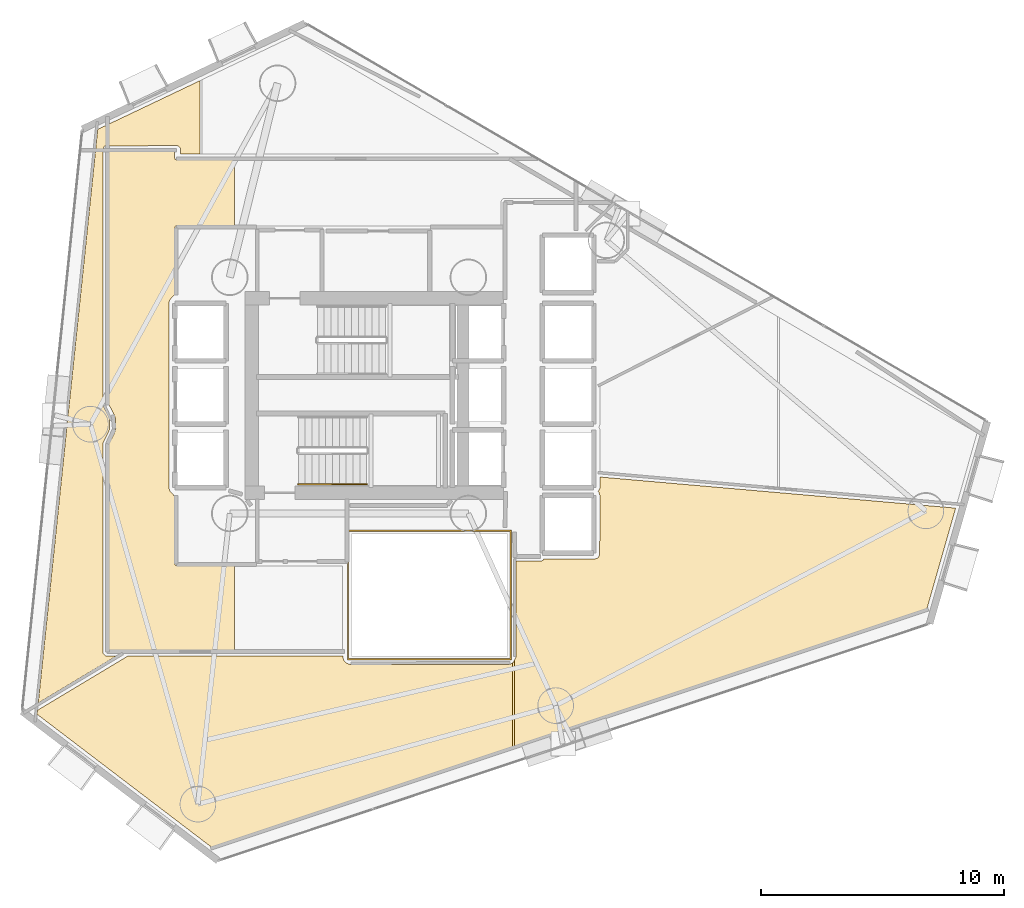
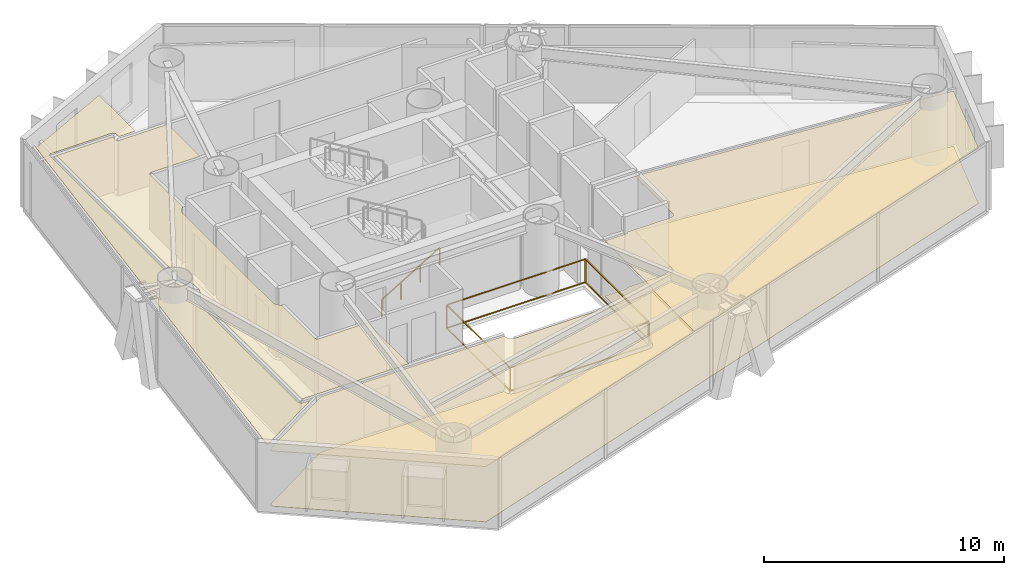
# One storey, part 17 of 19: 5 coverings, 2 railings.
"""IFC4 building model written with IfcOpenShell, lengths in metres."""

from ifc_helpers import new_model, si_unit, direction, frame, origin, origin_2d, place, context, subcontext, project, spatial, polyline, rectangle, outline, extrude, material, layer, layer_set, type_object, element, save


model = new_model("IFC4")

# Units and contexts
model_context = context("Model", 3, precision=1e-05, world=origin(), true_north=direction((0.0, 1.0)))
body_context = subcontext(model_context, "Body", "Model", "MODEL_VIEW")
ifc_project = project(units=[si_unit("LENGTHUNIT", "METRE"), si_unit("AREAUNIT", "SQUARE_METRE"), si_unit("VOLUMEUNIT", "CUBIC_METRE"), si_unit("PLANEANGLEUNIT", "RADIAN"), si_unit("MASSUNIT", "GRAM", prefix="KILO")], contexts=[model_context])

# Site, building, storey
site_placement = place(None, origin())
site = spatial("IfcSite", under=ifc_project, at=site_placement, CompositionType="ELEMENT")
building_placement = place(site_placement, origin())
building = spatial("IfcBuilding", under=site, at=building_placement, Name="Qianvela Tower", CompositionType="ELEMENT")
storey_placement = place(building_placement, frame((0.0, 0.0, 120.0)))
storey = spatial("IfcBuildingStorey", under=building, at=storey_placement, Name="L30", CompositionType="ELEMENT", Elevation=120.0)

# Coverings
ifc_material_1 = material(Name="Perforated Mineral Acoustic Ceiling Tile")
ifc_layer_1 = layer(ifc_material_1, 0.02490234375)
ifc_layer_set_1 = layer_set([ifc_layer_1], Name="Perforated Mineral Acoustic Ceiling Tile")
covering_type_1 = type_object("IfcCoveringType", Name="COV-CEIL-ACOUSTIC-25", PredefinedType="CEILING", material=ifc_layer_set_1)
covering_1_placement = place(storey_placement, frame((0.0, 0.0, 2.81494140625)))
element("IfcCovering", 1, at=covering_1_placement, inside=storey, type_object=covering_type_1, Name="L30 Acoustic Ceiling Bay 1 L30 Floor Corridor", PredefinedType="CEILING", context=body_context, shape_type="SweptSolid", body=[
    extrude(outline(polyline([(23.84814453125, 27.917724609375), (23.8447265625, 27.9248046875), (23.6298828125, 28.32666015625), (23.6298828125, 38.719970703125), (26.340087890625, 38.719970703125), (26.340087890625, 38.449951171875), (26.34033203125, 38.442138671875), (26.341552734375, 38.434326171875), (26.343505859375, 38.4267578125), (26.34619140625, 38.41943359375), (26.349365234375, 38.412353515625), (26.353515625, 38.405517578125), (26.358154296875, 38.399169921875), (26.36328125, 38.393310546875), (26.369140625, 38.38818359375), (26.37548828125, 38.383544921875), (26.38232421875, 38.37939453125), (26.389404296875, 38.376220703125), (26.396728515625, 38.373291015625), (26.404296875, 38.37158203125), (26.412109375, 38.370361328125), (26.419921875, 38.3701171875), (28.798095703125, 38.3701171875), (28.798095703125, 35.659912109375), (26.419921875, 35.659912109375), (26.412109375, 35.65966796875), (26.404296875, 35.658447265625), (26.396728515625, 35.656494140625), (26.389404296875, 35.65380859375), (26.38232421875, 35.650634765625), (26.37548828125, 35.646484375), (26.369140625, 35.641845703125), (26.36328125, 35.63671875), (26.358154296875, 35.630859375), (26.353515625, 35.62451171875), (26.349365234375, 35.61767578125), (26.34619140625, 35.610595703125), (26.343505859375, 35.603271484375), (26.341552734375, 35.595703125), (26.34033203125, 35.587890625), (26.340087890625, 35.580078125), (26.340087890625, 32.849365234375), (26.152587890625, 32.642578125), (26.1474609375, 32.636474609375), (26.143310546875, 32.6298828125), (26.139404296875, 32.623046875), (26.136474609375, 32.61572265625), (26.104736328125, 32.527099609375), (26.10205078125, 32.518310546875), (26.1005859375, 32.509033203125), (26.10009765625, 32.5), (26.10009765625, 24.89990234375), (26.100341796875, 24.89306640625), (26.101318359375, 24.88623046875), (26.1025390625, 24.879638671875), (26.104736328125, 24.873046875), (26.136474609375, 24.7841796875), (26.139404296875, 24.777099609375), (26.143310546875, 24.77001953125), (26.1474609375, 24.763427734375), (26.152587890625, 24.757568359375), (26.340087890625, 24.550537109375), (26.340087890625, 21.780029296875), (26.34033203125, 21.772216796875), (26.341552734375, 21.764404296875), (26.343505859375, 21.7568359375), (26.34619140625, 21.74951171875), (26.349365234375, 21.7421875), (26.353515625, 21.735595703125), (26.358154296875, 21.729248046875), (26.36328125, 21.723388671875), (26.369140625, 21.71826171875), (26.37548828125, 21.71337890625), (26.38232421875, 21.70947265625), (26.389404296875, 21.7060546875), (26.396728515625, 21.703369140625), (26.404296875, 21.701416015625), (26.412109375, 21.700439453125), (26.419921875, 21.699951171875), (28.798095703125, 21.699951171875), (28.798095703125, 18.22998046875), (23.6298828125, 18.22998046875), (23.6298828125, 26.705322265625), (23.8447265625, 27.107177734375), (23.84814453125, 27.1142578125), (23.8505859375, 27.12158203125), (23.906005859375, 27.303466796875), (23.90771484375, 27.311279296875), (23.908935546875, 27.31884765625), (23.909423828125, 27.326904296875), (23.909423828125, 27.705078125), (23.908935546875, 27.713134765625), (23.90771484375, 27.720703125), (23.906005859375, 27.728515625), (23.8505859375, 27.910400390625), (23.84814453125, 27.917724609375)])), origin(), (0.0, 0.0, 1.0), 0.025146484375),
])
covering_2_placement = place(storey_placement, frame((0.0, 0.0, 2.81494140625)))
element("IfcCovering", 2, at=covering_2_placement, inside=storey, type_object=covering_type_1, Name="L30 Acoustic Ceiling Bay 1 Stationery Supply Boutique L30-03", PredefinedType="CEILING", context=body_context, shape_type="SweptSolid", body=[
    extrude(outline(polyline([(23.3955078125, 26.7548828125), (23.393310546875, 26.747802734375), (23.391357421875, 26.740478515625), (23.390380859375, 26.73291015625), (23.389892578125, 26.725341796875), (23.390380859375, 18.14208984375), (23.390869140625, 18.13427734375), (23.391845703125, 18.12646484375), (23.393798828125, 18.118896484375), (23.396484375, 18.111572265625), (23.39990234375, 18.1044921875), (23.40380859375, 18.09765625), (23.408447265625, 18.09130859375), (23.413818359375, 18.085693359375), (23.485595703125, 18.013916015625), (23.491455078125, 18.008544921875), (23.497802734375, 18.00390625), (23.50439453125, 17.999755859375), (23.511474609375, 17.99658203125), (23.518798828125, 17.993896484375), (23.526611328125, 17.991943359375), (23.5341796875, 17.99072265625), (23.5419921875, 17.990478515625), (23.9326171875, 17.990234375), (20.73291015625, 16.067626953125), (23.176025390625, 39.6279296875), (27.373291015625, 41.626953125), (27.373291015625, 38.610107421875), (26.57958984375, 38.610107421875), (26.57861328125, 38.81591796875), (26.577880859375, 38.82421875), (26.57666015625, 38.83251953125), (26.574462890625, 38.840576171875), (26.571533203125, 38.84814453125), (26.567626953125, 38.855712890625), (26.563232421875, 38.862548828125), (26.55810546875, 38.868896484375), (26.55224609375, 38.875), (26.481689453125, 38.93896484375), (26.475830078125, 38.943603515625), (26.4697265625, 38.94775390625), (26.46337890625, 38.951416015625), (26.45654296875, 38.954345703125), (26.449462890625, 38.95654296875), (26.442138671875, 38.958251953125), (26.434814453125, 38.959228515625), (26.427490234375, 38.959716796875), (23.505126953125, 38.946533203125), (23.497314453125, 38.946044921875), (23.48974609375, 38.94482421875), (23.482177734375, 38.943115234375), (23.474609375, 38.940185546875), (23.4677734375, 38.93701171875), (23.4609375, 38.932861328125), (23.45458984375, 38.92822265625), (23.448974609375, 38.923095703125), (23.443603515625, 38.917236328125), (23.43896484375, 38.910888671875), (23.43505859375, 38.904296875), (23.3994140625, 38.837646484375), (23.39599609375, 38.83056640625), (23.393310546875, 38.8232421875), (23.3916015625, 38.815673828125), (23.390380859375, 38.807861328125), (23.389892578125, 38.800048828125), (23.389892578125, 28.306640625), (23.390380859375, 28.299072265625), (23.391357421875, 28.29150390625), (23.393310546875, 28.2841796875), (23.3955078125, 28.277099609375), (23.398681640625, 28.270263671875), (23.62548828125, 27.826416015625), (23.66943359375, 27.681396484375), (23.66943359375, 27.3505859375), (23.62548828125, 27.20556640625), (23.398681640625, 26.76171875), (23.3955078125, 26.7548828125)])), origin(), (0.0, 0.0, 1.0), 0.025146484375),
])
covering_3_placement = place(storey_placement, frame((0.0, 0.0, 2.81494140625)))
element("IfcCovering", 3, at=covering_3_placement, inside=storey, type_object=covering_type_1, Name="L30 Acoustic Ceiling Bay 1 Student Wellness Lounge L30-04", PredefinedType="CEILING", context=body_context, shape_type="SweptSolid", body=[
    extrude(outline(polyline([(40.13037109375, 17.664794921875), (40.1376953125, 17.66748046875), (40.14501953125, 17.6708984375), (40.151611328125, 17.6748046875), (40.211669921875, 17.71484375), (40.211669921875, 14.269287109375), (27.842529296875, 10.146728515625), (20.6845703125, 15.600830078125), (20.701416015625, 15.76416015625), (24.406005859375, 17.989990234375), (33.243408203125, 17.989990234375), (33.24560546875, 17.94189453125), (33.24609375, 17.93505859375), (33.247314453125, 17.927978515625), (33.2490234375, 17.92138671875), (33.25146484375, 17.914794921875), (33.293212890625, 17.813720703125), (33.296630859375, 17.806640625), (33.30078125, 17.800048828125), (33.305419921875, 17.793701171875), (33.310546875, 17.787841796875), (33.387939453125, 17.710693359375), (33.39306640625, 17.705810546875), (33.398681640625, 17.70166015625), (33.40478515625, 17.69775390625), (33.410888671875, 17.694580078125), (33.41748046875, 17.69189453125), (33.545654296875, 17.64599609375), (33.554443359375, 17.643310546875), (33.5634765625, 17.641845703125), (33.572509765625, 17.641357421875), (40.0, 17.639892578125), (40.0078125, 17.640380859375), (40.015625, 17.6416015625), (40.122802734375, 17.662841796875), (40.13037109375, 17.664794921875)])), origin(), (0.0, 0.0, 1.0), 0.025146484375),
])
covering_4_placement = place(storey_placement, frame((0.0, 0.0, 2.81494140625)))
element("IfcCovering", 4, at=covering_4_placement, inside=storey, type_object=covering_type_1, Name="L30 Acoustic Ceiling Bay 2 Student Wellness Lounge L30-04", PredefinedType="CEILING", context=body_context, shape_type="SweptSolid", body=[
    extrude(outline(polyline([(40.35107421875, 17.9384765625), (40.354248046875, 17.946533203125), (40.356689453125, 17.955078125), (40.358154296875, 17.963623046875), (40.358642578125, 17.972412109375), (40.360107421875, 21.889892578125), (41.367919921875, 21.890380859375), (41.375732421875, 21.890869140625), (41.383544921875, 21.891845703125), (41.39111328125, 21.893798828125), (41.3984375, 21.896484375), (41.405517578125, 21.89990234375), (41.45947265625, 21.9287109375), (41.46630859375, 21.932861328125), (41.472900390625, 21.9375), (41.478759765625, 21.943115234375), (41.48388671875, 21.948974609375), (41.48876953125, 21.955322265625), (41.492919921875, 21.96240234375), (41.49609375, 21.969482421875), (41.498779296875, 21.97705078125), (41.49951171875, 21.97998046875), (43.59375, 21.980712890625), (43.6015625, 21.981201171875), (43.609375, 21.982177734375), (43.616943359375, 21.984130859375), (43.624267578125, 21.98681640625), (43.699462890625, 22.017822265625), (43.70703125, 22.021484375), (43.71435546875, 22.02587890625), (43.72119140625, 22.03125), (43.727294921875, 22.037109375), (43.732666015625, 22.043701171875), (43.7373046875, 22.05078125), (43.785888671875, 22.131591796875), (43.7900390625, 22.13916015625), (43.793212890625, 22.147216796875), (43.79541015625, 22.155517578125), (43.796875, 22.1640625), (43.79736328125, 22.172607421875), (43.800048828125, 24.599853515625), (43.7998046875, 24.606689453125), (43.798828125, 24.613525390625), (43.79736328125, 24.620361328125), (43.79541015625, 24.626953125), (43.763427734375, 24.7158203125), (43.760498046875, 24.722900390625), (43.7568359375, 24.72998046875), (43.75244140625, 24.736572265625), (43.74755859375, 24.742431640625), (43.741943359375, 24.748046875), (43.73583984375, 24.753173828125), (43.729248046875, 24.75732421875), (43.72509765625, 24.759765625), (43.78369140625, 24.838623046875), (43.788330078125, 24.845703125), (43.792236328125, 24.853271484375), (43.79541015625, 24.861083984375), (43.797607421875, 24.869384765625), (43.798828125, 24.877685546875), (43.79931640625, 24.88623046875), (43.7998046875, 25.348388671875), (58.41748046875, 24.069580078125), (57.239013671875, 19.944580078125), (40.29150390625, 14.2958984375), (40.29150390625, 17.81298828125), (40.35107421875, 17.9384765625)])), origin(), (0.0, 0.0, 1.0), 0.025146484375),
])
ifc_material_2 = material(Name="Engineered Acoustic Oak Timber Flooring", Category="wood")
ifc_layer_2 = layer(ifc_material_2, 0.02001953125)
ifc_layer_set_2 = layer_set([ifc_layer_2], Name="Engineered Acoustic Oak Timber Flooring")
covering_type_2 = type_object("IfcCoveringType", Name="COV-FLOOR-OAK-20", PredefinedType="FLOORING", material=ifc_layer_set_2)
covering_5_placement = place(storey_placement, origin())
element("IfcCovering", 5, at=covering_5_placement, inside=storey, type_object=covering_type_2, Name="L30 Finish Flooring Student Wellness Lounge L30-04", PredefinedType="FLOORING", context=body_context, shape_type="SweptSolid", body=[
    extrude(outline(polyline([(40.122802734375, 17.662841796875), (40.13037109375, 17.664794921875), (40.1376953125, 17.66748046875), (40.14501953125, 17.6708984375), (40.151611328125, 17.6748046875), (40.242431640625, 17.735595703125), (40.249267578125, 17.74072265625), (40.255615234375, 17.74658203125), (40.26123046875, 17.753173828125), (40.26611328125, 17.76025390625), (40.270263671875, 17.767822265625), (40.35107421875, 17.9384765625), (40.354248046875, 17.946533203125), (40.356689453125, 17.955078125), (40.358154296875, 17.963623046875), (40.358642578125, 17.972412109375), (40.360107421875, 21.889892578125), (41.367919921875, 21.890380859375), (41.375732421875, 21.890869140625), (41.383544921875, 21.891845703125), (41.39111328125, 21.893798828125), (41.3984375, 21.896484375), (41.405517578125, 21.89990234375), (41.45947265625, 21.9287109375), (41.46630859375, 21.932861328125), (41.472900390625, 21.9375), (41.478759765625, 21.943115234375), (41.48388671875, 21.948974609375), (41.48876953125, 21.955322265625), (41.492919921875, 21.96240234375), (41.49609375, 21.969482421875), (41.498779296875, 21.97705078125), (41.49951171875, 21.97998046875), (43.59375, 21.980712890625), (43.6015625, 21.981201171875), (43.609375, 21.982177734375), (43.616943359375, 21.984130859375), (43.624267578125, 21.98681640625), (43.699462890625, 22.017822265625), (43.70703125, 22.021484375), (43.71435546875, 22.02587890625), (43.72119140625, 22.03125), (43.727294921875, 22.037109375), (43.732666015625, 22.043701171875), (43.7373046875, 22.05078125), (43.785888671875, 22.131591796875), (43.7900390625, 22.13916015625), (43.793212890625, 22.147216796875), (43.79541015625, 22.155517578125), (43.796875, 22.1640625), (43.79736328125, 22.172607421875), (43.800048828125, 24.599853515625), (43.7998046875, 24.606689453125), (43.798828125, 24.613525390625), (43.79736328125, 24.620361328125), (43.79541015625, 24.626953125), (43.763427734375, 24.7158203125), (43.760498046875, 24.722900390625), (43.7568359375, 24.72998046875), (43.75244140625, 24.736572265625), (43.74755859375, 24.742431640625), (43.741943359375, 24.748046875), (43.73583984375, 24.753173828125), (43.729248046875, 24.75732421875), (43.72509765625, 24.759765625), (43.78369140625, 24.838623046875), (43.788330078125, 24.845703125), (43.792236328125, 24.853271484375), (43.79541015625, 24.861083984375), (43.797607421875, 24.869384765625), (43.798828125, 24.877685546875), (43.79931640625, 24.88623046875), (43.7998046875, 25.348388671875), (58.41748046875, 24.069580078125), (57.239013671875, 19.944580078125), (27.842529296875, 10.146728515625), (20.6845703125, 15.600830078125), (20.701416015625, 15.76416015625), (24.406005859375, 17.989990234375), (33.243408203125, 17.989990234375), (33.24560546875, 17.94189453125), (33.24609375, 17.93505859375), (33.247314453125, 17.927978515625), (33.2490234375, 17.92138671875), (33.25146484375, 17.914794921875), (33.293212890625, 17.813720703125), (33.296630859375, 17.806640625), (33.30078125, 17.800048828125), (33.305419921875, 17.793701171875), (33.310546875, 17.787841796875), (33.387939453125, 17.710693359375), (33.39306640625, 17.705810546875), (33.398681640625, 17.70166015625), (33.40478515625, 17.69775390625), (33.410888671875, 17.694580078125), (33.41748046875, 17.69189453125), (33.545654296875, 17.64599609375), (33.554443359375, 17.643310546875), (33.5634765625, 17.641845703125), (33.572509765625, 17.641357421875), (40.0, 17.639892578125), (40.0078125, 17.640380859375), (40.015625, 17.6416015625), (40.122802734375, 17.662841796875)])), origin(), (0.0, 0.0, 1.0), 0.02001953125),
])

# Railings
ifc_material_3 = material(Name="Laminated Safety Glass and Stainless Steel 316", Category="steel")
railing_type_1 = type_object("IfcRailingType", Name="RL-ATRIUM-GUARD-1250", PredefinedType="GUARDRAIL", material=ifc_material_3)
railing_1_placement = place(storey_placement, frame((33.4599609375, 17.860107421875, 0.0)))
element("IfcRailing", 6, at=railing_1_placement, inside=storey, type_object=railing_type_1, Name="L30 Atrium Edge Guardrail 1", PredefinedType="GUARDRAIL", context=body_context, shape_type="SweptSolid", body=[
    extrude(rectangle(XDim=0.050048828125, YDim=0.0400390625, at=origin_2d()), frame((0.0, 0.0, 1.22998046875), z_axis=(0.0, 1.0, 0.0), x_axis=(-1.0, 0.0, 0.0)), (0.0, 0.0, 1.0), 5.27978515625),
    extrude(rectangle(XDim=0.050048828125, YDim=0.0400390625, at=origin_2d()), frame((0.0, 0.0, 0.050048828125), z_axis=(0.0, 1.0, 0.0), x_axis=(-1.0, 0.0, 0.0)), (0.0, 0.0, 1.0), 5.27978515625),
    extrude(rectangle(XDim=0.050048828125, YDim=0.0400390625, at=origin_2d()), frame((0.0, 5.27978515625, 1.22998046875), z_axis=(1.0, 0.0, 0.0), x_axis=(0.0, 1.0, 0.0)), (0.0, 0.0, 1.0), 6.679931640625),
    extrude(rectangle(XDim=0.050048828125, YDim=0.0400390625, at=origin_2d()), frame((0.0, 5.27978515625, 0.050048828125), z_axis=(1.0, 0.0, 0.0), x_axis=(0.0, 1.0, 0.0)), (0.0, 0.0, 1.0), 6.679931640625),
    extrude(rectangle(XDim=0.050048828125, YDim=0.0400390625, at=origin_2d()), frame((6.679931640625, 5.27978515625, 1.22998046875), z_axis=(0.0, -1.0, 0.0), x_axis=(1.0, 0.0, 0.0)), (0.0, 0.0, 1.0), 5.27978515625),
    extrude(rectangle(XDim=0.050048828125, YDim=0.0400390625, at=origin_2d()), frame((6.679931640625, 5.27978515625, 0.050048828125), z_axis=(0.0, -1.0, 0.0), x_axis=(1.0, 0.0, 0.0)), (0.0, 0.0, 1.0), 5.27978515625),
    extrude(rectangle(XDim=0.050048828125, YDim=0.0400390625, at=origin_2d()), frame((6.679931640625, 0.0, 1.22998046875), z_axis=(-1.0, 0.0, 0.0), x_axis=(0.0, -1.0, 0.0)), (0.0, 0.0, 1.0), 6.679931640625),
    extrude(rectangle(XDim=0.050048828125, YDim=0.0400390625, at=origin_2d()), frame((6.679931640625, 0.0, 0.050048828125), z_axis=(-1.0, 0.0, 0.0), x_axis=(0.0, -1.0, 0.0)), (0.0, 0.0, 1.0), 6.679931640625),
    extrude(rectangle(XDim=0.050048828125, YDim=0.050048828125, at=origin_2d()), origin(), (0.0, 0.0, 1.0), 1.2099609375),
    extrude(rectangle(XDim=0.050048828125, YDim=0.050048828125, at=origin_2d()), frame((0.0, 5.27978515625, 0.0)), (0.0, 0.0, 1.0), 1.2099609375),
    extrude(rectangle(XDim=0.050048828125, YDim=0.050048828125, at=origin_2d()), frame((6.679931640625, 5.27978515625, 0.0)), (0.0, 0.0, 1.0), 1.2099609375),
    extrude(rectangle(XDim=0.050048828125, YDim=0.050048828125, at=origin_2d()), frame((6.679931640625, 0.0, 0.0)), (0.0, 0.0, 1.0), 1.2099609375),
])
ifc_material_4 = material(Name="Brushed Stainless Steel 304", Category="steel")
railing_type_2 = type_object("IfcRailingType", Name="RL-STAIR-HANDRAIL-900", PredefinedType="HANDRAIL", material=ifc_material_4)
railing_2_placement = place(storey_placement, frame((31.419921875, 25.050048828125, 0.168212890625)))
element("IfcRailing", 7, at=railing_2_placement, inside=storey, type_object=railing_type_2, Name="L30 ST-2 stair handrail 1", PredefinedType="HANDRAIL", context=body_context, shape_type="SweptSolid", body=[
    extrude(rectangle(XDim=0.050048828125, YDim=0.0400390625, at=origin_2d()), frame((0.0, 0.0, 0.8798828125), z_axis=(0.857242210791, 0.0, 0.514913383045), x_axis=(0.0, 1.0, 0.0)), (0.0, 0.0, 1.0), 3.266357421875),
    extrude(rectangle(XDim=0.050048828125, YDim=0.050048828125, at=origin_2d()), origin(), (0.0, 0.0, 1.0), 0.85986328125),
    extrude(rectangle(XDim=0.050048828125, YDim=0.050048828125, at=origin_2d()), frame((0.933349609375, 0.0, 0.560546875)), (0.0, 0.0, 1.0), 0.85986328125),
    extrude(rectangle(XDim=0.050048828125, YDim=0.050048828125, at=origin_2d()), frame((1.86669921875, 0.0, 1.121337890625)), (0.0, 0.0, 1.0), 0.85986328125),
    extrude(rectangle(XDim=0.050048828125, YDim=0.050048828125, at=origin_2d()), frame((2.800048828125, 0.0, 1.681884765625)), (0.0, 0.0, 1.0), 0.85986328125),
])

save(model, "model.ifc")
